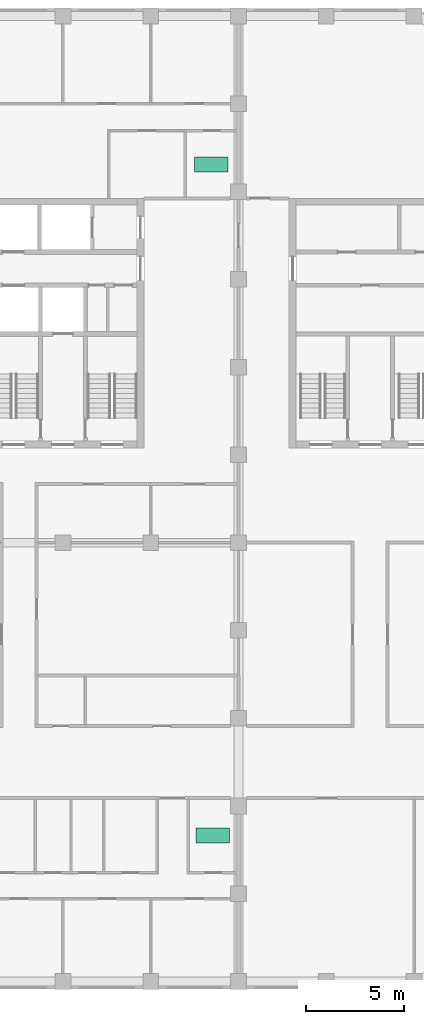
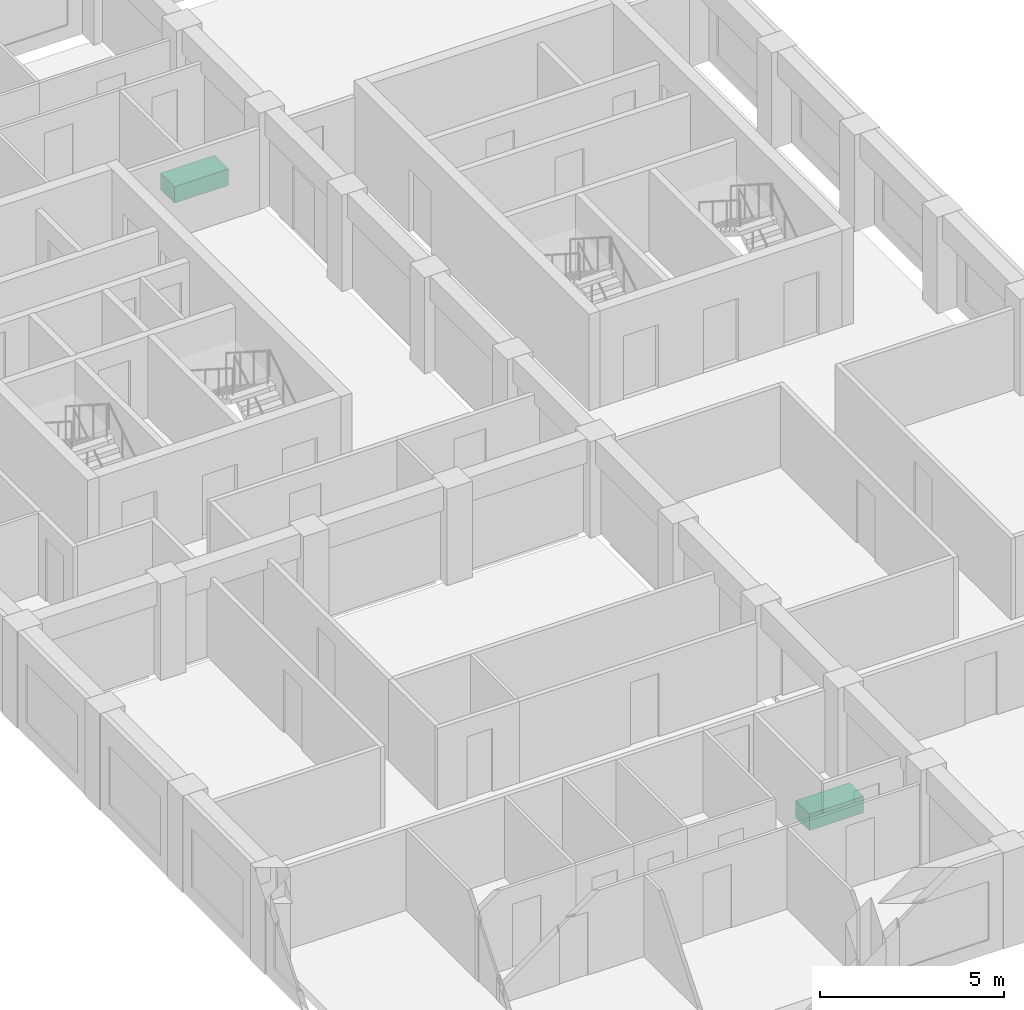
# One storey, part 9 of 9: 2 sanitary terminals.
"""IFC4 building model written with IfcOpenShell, lengths in metres."""

from ifc_helpers import new_model, si_unit, direction, frame, origin, origin_2d, place, context, subcontext, project, spatial, rectangle, extrude, material, type_object, element, save


model = new_model("IFC4")

# Units and contexts
model_context = context("Model", 3, precision=1e-05, world=origin(), true_north=direction((0.0, 1.0)))
body_context = subcontext(model_context, "Body", "Model", "MODEL_VIEW")
ifc_project = project(units=[si_unit("LENGTHUNIT", "METRE"), si_unit("AREAUNIT", "SQUARE_METRE"), si_unit("VOLUMEUNIT", "CUBIC_METRE"), si_unit("PLANEANGLEUNIT", "RADIAN"), si_unit("MASSUNIT", "GRAM", prefix="KILO")], contexts=[model_context])

# Site, building, storey
site_placement = place(None, origin())
site = spatial("IfcSite", under=ifc_project, at=site_placement, CompositionType="ELEMENT")
building_placement = place(site_placement, origin())
building = spatial("IfcBuilding", under=site, at=building_placement, Name="Girih Gate Residences", CompositionType="ELEMENT")
storey_placement = place(building_placement, frame((0.0, 0.0, 198.699951171875)))
storey = spatial("IfcBuildingStorey", under=building, at=storey_placement, Name="L55", CompositionType="ELEMENT", Elevation=198.699951171875)

# Sanitary terminals
ifc_material = material(Name="Acrylic")
sanitary_terminal_type = type_object("IfcSanitaryTerminalType", Name="Bath 1700", PredefinedType="BATH", material=ifc_material)
for number, where, z_axis, x_axis, name in (
    (1, (16.680908203125, 7.48388671875, 0.0), (0.0, 0.0, 1.0), (1.0, 0.0, 0.0), "Bath 1700 L55"),
    (2, (16.60205078125, 41.89111328125, 0.0), (0.0, 0.0, 1.0), (1.0, 0.0, 0.0), "Bath 1700 L55"),
):
    element("IfcSanitaryTerminal", number, at=place(storey_placement, frame(where, z_axis=z_axis, x_axis=x_axis)), inside=storey, type_object=sanitary_terminal_type, Name=name, PredefinedType="BATH", context=body_context, shape_type="SweptSolid", body=[
        extrude(rectangle(XDim=1.699951171875, YDim=0.75, at=origin_2d()), origin(), (0.0, 0.0, 1.0), 0.550048828125),
    ])

save(model, "model.ifc")
